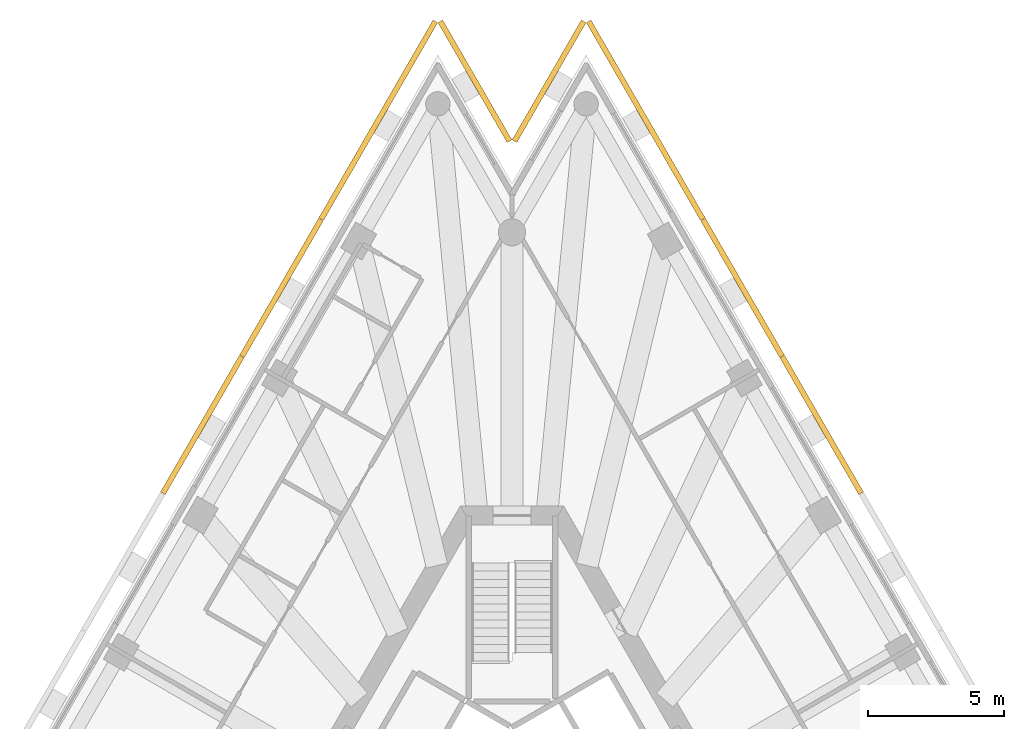
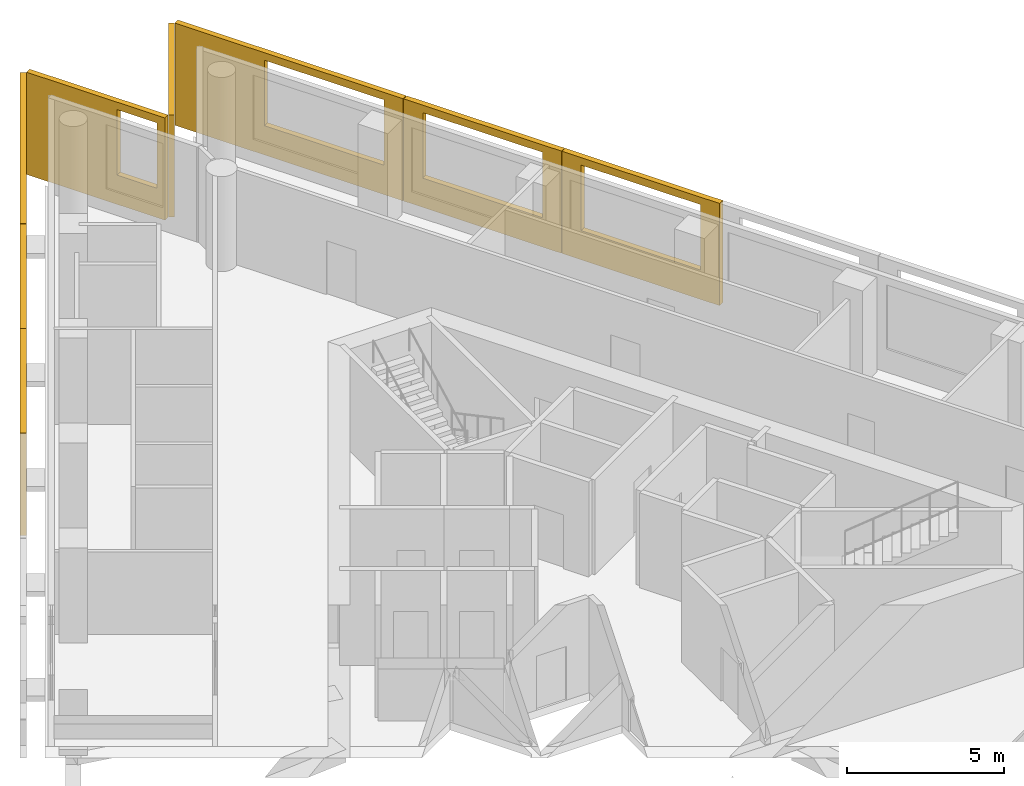
# One storey, part 10 of 10: 8 shading devices.
"""IFC4 building model written with IfcOpenShell, lengths in metres."""

from ifc_helpers import new_model, si_unit, direction, frame, origin, place, context, subcontext, project, spatial, polyline, outline, extrude, material, layer, layer_set, type_object, element, save


model = new_model("IFC4")

# Units and contexts
model_context = context("Model", 3, precision=1e-05, world=origin(), true_north=direction((0.0, 1.0)))
body_context = subcontext(model_context, "Body", "Model", "MODEL_VIEW")
ifc_project = project(units=[si_unit("LENGTHUNIT", "METRE"), si_unit("AREAUNIT", "SQUARE_METRE"), si_unit("VOLUMEUNIT", "CUBIC_METRE"), si_unit("PLANEANGLEUNIT", "RADIAN"), si_unit("MASSUNIT", "GRAM", prefix="KILO")], contexts=[model_context])

# Site, building, storey
site_placement = place(None, origin())
site = spatial("IfcSite", under=ifc_project, at=site_placement, CompositionType="ELEMENT")
building_placement = place(site_placement, origin())
building = spatial("IfcBuilding", under=site, at=building_placement, Name="Triada Interchange Tower", CompositionType="ELEMENT")
storey_placement = place(building_placement, frame((0.0, 0.0, 239.300048828125)))
storey = spatial("IfcBuildingStorey", under=building, at=storey_placement, Name="L56", CompositionType="ELEMENT", Elevation=239.300048828125)

# Shading devices
ifc_material = material(Name="Concrete C50/60 precast", Category="concrete")
ifc_layer_1 = layer(ifc_material, 0.02001953125, Name="Exposed aggregate face")
ifc_layer_2 = layer(ifc_material, 0.179931640625, Name="Precast concrete screen")
ifc_layer_set = layer_set([ifc_layer_1, ifc_layer_2], Name="Outer skin screen panel 3980")
shading_device_type = type_object("IfcShadingDeviceType", Name="Outer skin screen panel 3980", PredefinedType="SHUTTER", material=ifc_layer_set)
shading_device_1_placement = place(storey_placement, frame((-2.737060546875, 31.508056640625, -0.2900390625), z_axis=(0.0, 0.0, 1.0), x_axis=(-0.499951117002, -0.866053624557, 0.0)))
element("IfcShadingDevice", 1, at=shading_device_1_placement, inside=storey, type_object=shading_device_type, Name="Outer skin screen panel L56 01", PredefinedType="SHUTTER", context=body_context, shape_type="SweptSolid", body=[
    extrude(outline(polyline([(0.0, 0.0), (8.410400390625, 0.0), (8.410400390625, 3.97998046875), (0.0, 3.97998046875), (0.0, 0.0)]), holes=[polyline([(3.3046875, 1.139892578125), (3.3046875, 3.68994140625), (7.70458984375, 3.68994140625), (7.70458984375, 1.139892578125), (3.3046875, 1.139892578125)])]), frame((0.0, 0.0, 0.0), z_axis=(0.0, -1.0, 0.0), x_axis=(1.0, 0.0, 0.0)), (0.0, 0.0, 1.0), 0.199951171875),
])
shading_device_2_placement = place(storey_placement, frame((-6.951904296875, 24.20703125, -0.2900390625), z_axis=(0.0, 0.0, 1.0), x_axis=(-0.500082362009, -0.865977846834, 0.0)))
element("IfcShadingDevice", 2, at=shading_device_2_placement, inside=storey, type_object=shading_device_type, Name="Outer skin screen panel L56 02", PredefinedType="SHUTTER", context=body_context, shape_type="SweptSolid", body=[
    extrude(outline(polyline([(0.0, 0.0), (5.81298828125, 0.0), (5.81298828125, 3.97998046875), (0.0, 3.97998046875), (0.0, 0.0)]), holes=[polyline([(0.705810546875, 1.139892578125), (0.705810546875, 3.68994140625), (5.10595703125, 3.68994140625), (5.10595703125, 1.139892578125), (0.705810546875, 1.139892578125)])]), frame((0.0, 0.0, 0.0), z_axis=(0.0, -1.0, 0.0), x_axis=(1.0, 0.0, 0.0)), (0.0, 0.0, 1.0), 0.199951171875),
])
shading_device_3_placement = place(storey_placement, frame((-9.868896484375, 19.156005859375, -0.2900390625), z_axis=(0.0, 0.0, 1.0), x_axis=(-0.499956362902, -0.866050596209, 0.0)))
element("IfcShadingDevice", 3, at=shading_device_3_placement, inside=storey, type_object=shading_device_type, Name="Outer skin screen panel L56 03", PredefinedType="SHUTTER", context=body_context, shape_type="SweptSolid", body=[
    extrude(outline(polyline([(0.0, 0.0), (5.8125, 0.0), (5.8125, 3.97998046875), (0.0, 3.97998046875), (0.0, 0.0)]), holes=[polyline([(0.706298828125, 1.139892578125), (0.706298828125, 3.68994140625), (5.106201171875, 3.68994140625), (5.106201171875, 1.139892578125), (0.706298828125, 1.139892578125)])]), frame((0.0, 0.0, 0.0), z_axis=(0.0, -1.0, 0.0), x_axis=(1.0, 0.0, 0.0)), (0.0, 0.0, 1.0), 0.199951171875),
])
shading_device_4_placement = place(storey_placement, frame((12.77490234375, 14.1220703125, -0.2900390625), z_axis=(0.0, 0.0, 1.0), x_axis=(-0.499956362902, 0.866050596209, 0.0)))
element("IfcShadingDevice", 4, at=shading_device_4_placement, inside=storey, type_object=shading_device_type, Name="Outer skin screen panel L56 26", PredefinedType="SHUTTER", context=body_context, shape_type="SweptSolid", body=[
    extrude(outline(polyline([(0.0, 0.0), (5.8125, 0.0), (5.8125, 3.97998046875), (0.0, 3.97998046875), (0.0, 0.0)]), holes=[polyline([(0.7060546875, 1.139892578125), (0.7060546875, 3.68994140625), (5.106201171875, 3.68994140625), (5.106201171875, 1.139892578125), (0.7060546875, 1.139892578125)])]), frame((0.0, 0.0, 0.0), z_axis=(0.0, -1.0, 0.0), x_axis=(1.0, 0.0, 0.0)), (0.0, 0.0, 1.0), 0.199951171875),
])
shading_device_5_placement = place(storey_placement, frame((9.85888671875, 19.173095703125, -0.2900390625), z_axis=(0.0, 0.0, 1.0), x_axis=(-0.500082362009, 0.865977846834, 0.0)))
element("IfcShadingDevice", 5, at=shading_device_5_placement, inside=storey, type_object=shading_device_type, Name="Outer skin screen panel L56 27", PredefinedType="SHUTTER", context=body_context, shape_type="SweptSolid", body=[
    extrude(outline(polyline([(0.0, 0.0), (5.81298828125, 0.0), (5.81298828125, 3.97998046875), (0.0, 3.97998046875), (0.0, 0.0)]), holes=[polyline([(0.706298828125, 1.139892578125), (0.706298828125, 3.68994140625), (5.1064453125, 3.68994140625), (5.1064453125, 1.139892578125), (0.706298828125, 1.139892578125)])]), frame((0.0, 0.0, 0.0), z_axis=(0.0, -1.0, 0.0), x_axis=(1.0, 0.0, 0.0)), (0.0, 0.0, 1.0), 0.199951171875),
])
shading_device_6_placement = place(storey_placement, frame((6.94189453125, 24.22412109375, -0.2900390625), z_axis=(0.0, 0.0, 1.0), x_axis=(-0.499951117002, 0.866053624557, 0.0)))
element("IfcShadingDevice", 6, at=shading_device_6_placement, inside=storey, type_object=shading_device_type, Name="Outer skin screen panel L56 28", PredefinedType="SHUTTER", context=body_context, shape_type="SweptSolid", body=[
    extrude(outline(polyline([(0.0, 0.0), (8.410400390625, 0.0), (8.410400390625, 3.97998046875), (0.0, 3.97998046875), (0.0, 0.0)]), holes=[polyline([(0.705810546875, 1.139892578125), (0.705810546875, 3.68994140625), (5.105712890625, 3.68994140625), (5.105712890625, 1.139892578125), (0.705810546875, 1.139892578125)])]), frame((0.0, 0.0, 0.0), z_axis=(0.0, -1.0, 0.0), x_axis=(1.0, 0.0, 0.0)), (0.0, 0.0, 1.0), 0.199951171875),
])
shading_device_7_placement = place(storey_placement, frame((2.72705078125, 31.508056640625, -0.2900390625), z_axis=(0.0, 0.0, 1.0), x_axis=(-0.500090059957, -0.8659734014, 0.0)))
element("IfcShadingDevice", 7, at=shading_device_7_placement, inside=storey, type_object=shading_device_type, Name="Outer skin screen panel L56 29", PredefinedType="SHUTTER", context=body_context, shape_type="SweptSolid", body=[
    extrude(outline(polyline([(0.0, 0.0), (5.09716796875, 0.0), (5.09716796875, 3.97998046875), (0.0, 3.97998046875), (0.0, 0.0)]), holes=[polyline([(3.175537109375, 1.139892578125), (3.175537109375, 3.68994140625), (4.797607421875, 3.68994140625), (4.797607421875, 1.139892578125), (3.175537109375, 1.139892578125)])]), frame((0.0, 0.0, 0.0), z_axis=(0.0, -1.0, 0.0), x_axis=(1.0, 0.0, 0.0)), (0.0, 0.0, 1.0), 0.199951171875),
])
shading_device_8_placement = place(storey_placement, frame((-0.177978515625, 27.093994140625, -0.2900390625), z_axis=(0.0, 0.0, 1.0), x_axis=(-0.500090059957, 0.8659734014, 0.0)))
element("IfcShadingDevice", 8, at=shading_device_8_placement, inside=storey, type_object=shading_device_type, Name="Outer skin screen panel L56 30", PredefinedType="SHUTTER", context=body_context, shape_type="SweptSolid", body=[
    extrude(outline(polyline([(0.0, 0.0), (5.09716796875, 0.0), (5.09716796875, 3.97998046875), (0.0, 3.97998046875), (0.0, 0.0)]), holes=[polyline([(0.300048828125, 1.139892578125), (0.300048828125, 3.68994140625), (1.7578125, 3.68994140625), (1.7578125, 1.139892578125), (0.300048828125, 1.139892578125)])]), frame((0.0, 0.0, 0.0), z_axis=(0.0, -1.0, 0.0), x_axis=(1.0, 0.0, 0.0)), (0.0, 0.0, 1.0), 0.199951171875),
])

save(model, "model.ifc")
